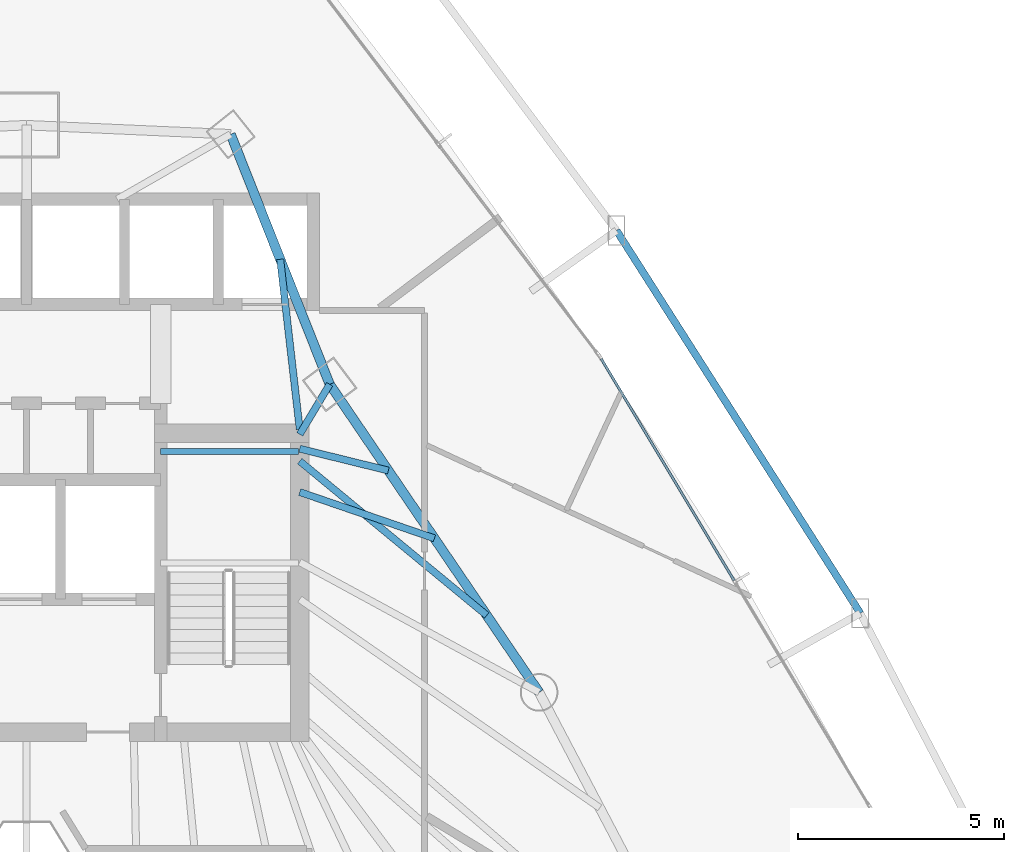
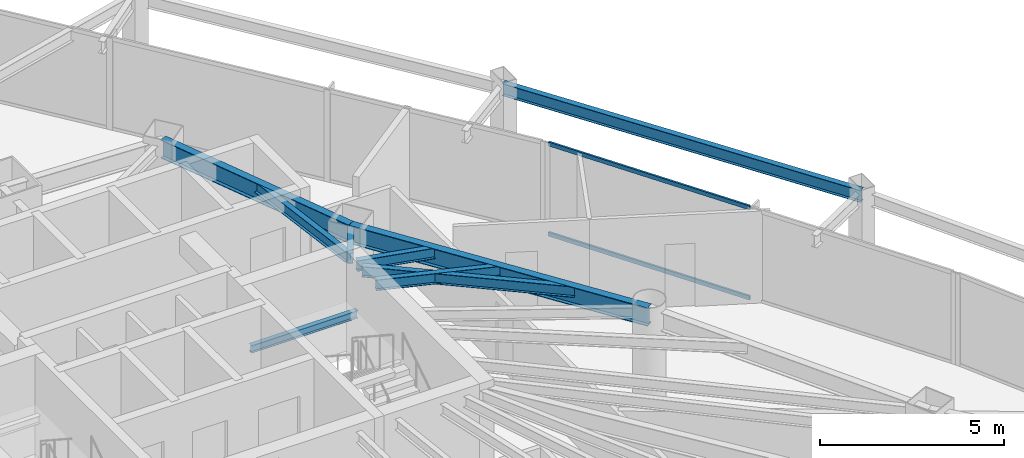
# One storey, part 28 of 38: 9 beams, 2 members, 1 element without a shape of its own.
"""IFC4 building model written with IfcOpenShell, lengths in metres."""

import ifcopenshell
import ifcopenshell.guid

model = None  # the IFC model being written
_history = None  # IfcOwnerHistory: only IFC2X3 demands one
_inside = {}  # id of a spatial element -> (the spatial element, [elements in it])
_under = {}  # id of a project, library or spatial element -> (it, [spatial elements below it])
_declared = {}  # id of a project -> (the project, [libraries it declares])
_typed = {}  # id of a type object -> (the type object, [elements of that type])
_made_of = {}  # id of a material, layer set ... -> (it, [elements and type objects made of it])


def new_model(schema):
    """Start an empty IFC model of exactly this schema.

    Asked for "IFC4X3", IfcOpenShell would pick the latest addendum, in which some entities
    have other attributes; the version numbers below select the first issue.
    IFC2X3 requires an IfcOwnerHistory on every rooted entity: one is made here for all.
    """
    global model, _history
    if schema == "IFC4X3":
        model = ifcopenshell.file(schema_version=(4, 3, 0, 0))
    else:
        model = ifcopenshell.file(schema=schema)
    _inside.clear()
    _under.clear()
    _declared.clear()
    _typed.clear()
    _made_of.clear()
    _history = None
    if model.schema == "IFC2X3":
        org = make("IfcOrganization", Name="unknown")
        user = make(
            "IfcPersonAndOrganization",
            ThePerson=make("IfcPerson", FamilyName="unknown"),
            TheOrganization=org,
        )
        app = make(
            "IfcApplication",
            ApplicationDeveloper=org,
            Version="unknown",
            ApplicationFullName="unknown",
            ApplicationIdentifier="unknown",
        )
        _history = make(
            "IfcOwnerHistory",
            OwningUser=user,
            OwningApplication=app,
            ChangeAction="ADDED",
            CreationDate=0,
        )
    return model


def make(cls, **values):
    """One entity of the class cls with the attributes given. An attribute that is None is left unset."""
    return model.create_entity(
        cls, **{name: value for name, value in values.items() if value is not None}
    )


def rooted(cls, **values):
    """An entity with a GlobalId (a new one), such as an element, a storey or a relation."""
    return make(cls, GlobalId=ifcopenshell.guid.new(), OwnerHistory=_history, **values)


def si_unit(unit_type, name, prefix=None):
    """IfcSIUnit, for example si_unit("LENGTHUNIT", "METRE", prefix="MILLI")."""
    return make("IfcSIUnit", UnitType=unit_type, Prefix=prefix, Name=name)


def assignment(units):
    """IfcUnitAssignment: the units of a project."""
    return None if units is None else make("IfcUnitAssignment", Units=units)


def point(xyz):
    """IfcCartesianPoint."""
    return None if xyz is None else make("IfcCartesianPoint", Coordinates=xyz)


def direction(xyz):
    """IfcDirection."""
    return None if xyz is None else make("IfcDirection", DirectionRatios=xyz)


def frame(location, z_axis=None, x_axis=None):
    """IfcAxis2Placement3D, a coordinate frame: its origin and axes. An axis left out is left unset."""
    return make(
        "IfcAxis2Placement3D",
        Location=point(location),
        Axis=direction(z_axis),
        RefDirection=direction(x_axis),
    )


def frame_2d(location, x_axis=None):
    """IfcAxis2Placement2D, a coordinate frame in the plane: its origin and x axis."""
    return make(
        "IfcAxis2Placement2D", Location=point(location), RefDirection=direction(x_axis)
    )


def origin():
    """The frame at (0, 0, 0) with its axes left unset."""
    return frame((0.0, 0.0, 0.0))


def origin_2d():
    """The frame at (0, 0) in the plane with its x axis left unset."""
    return frame_2d((0.0, 0.0))


def place(relative_to, where):
    """IfcLocalPlacement: puts the frame where relative to a parent placement (None: the world)."""
    return make(
        "IfcLocalPlacement", PlacementRelTo=relative_to, RelativePlacement=where
    )


def context(
    kind, dimensions, precision=None, world=None, true_north=None, identifier=None
):
    """IfcGeometricRepresentationContext, for example the 3D "Model" context."""
    return make(
        "IfcGeometricRepresentationContext",
        ContextIdentifier=identifier,
        ContextType=kind,
        CoordinateSpaceDimension=dimensions,
        Precision=precision,
        WorldCoordinateSystem=world,
        TrueNorth=true_north,
    )


def subcontext(parent, identifier, kind, view, scale=None):
    """IfcGeometricRepresentationSubContext, for example "Body" below "Model"."""
    return make(
        "IfcGeometricRepresentationSubContext",
        ContextIdentifier=identifier,
        ContextType=kind,
        ParentContext=parent,
        TargetScale=scale,
        TargetView=view,
    )


def project(units=None, contexts=None):
    """IfcProject with its units and contexts."""
    return rooted(
        "IfcProject",
        Name="project",
        RepresentationContexts=contexts,
        UnitsInContext=assignment(units),
    )


def spatial(cls, under=None, at=None, **own):
    """A site, building, storey or space (cls), placed at a placement, below another one or the project."""
    s = rooted(cls, ObjectPlacement=at, **own)
    if under is not None:
        _under.setdefault(under.id(), (under, []))[1].append(s)
    return s


def profile(cls, at=None, kind="AREA", **sizes):
    """A parametric profile (cls). Its sizes go by their IFC names, for example OverallWidth=200.0."""
    return make(cls, ProfileType=kind, Position=at, **sizes)


def hollow_rectangle(**sizes):
    """IfcRectangleHollowProfileDef."""
    return profile("IfcRectangleHollowProfileDef", **sizes)


def i_section(**sizes):
    """IfcIShapeProfileDef."""
    return profile("IfcIShapeProfileDef", **sizes)


def extrude(swept, where, along, depth):
    """IfcExtrudedAreaSolid: the profile swept, set in the frame where, extruded along a direction by depth."""
    return make(
        "IfcExtrudedAreaSolid",
        SweptArea=swept,
        Position=where,
        ExtrudedDirection=direction(along),
        Depth=depth,
    )


def shape(context_of_items, identifier, shape_type, items):
    """IfcShapeRepresentation: the items that make up one representation, for example the "Body"."""
    return make(
        "IfcShapeRepresentation",
        ContextOfItems=context_of_items,
        RepresentationIdentifier=identifier,
        RepresentationType=shape_type,
        Items=items,
    )


def material(Name=None, Category=None):
    """IfcMaterial."""
    return make("IfcMaterial", Name=Name, Category=Category)


def layer(
    of_material, thickness, ventilated=None, Name=None, Category=None, Priority=None
):
    """IfcMaterialLayer: one layer of a wall or slab, of a material (None: an air gap)."""
    return make(
        "IfcMaterialLayer",
        Material=of_material,
        LayerThickness=thickness,
        IsVentilated=ventilated,
        Name=Name,
        Category=Category,
        Priority=Priority,
    )


def layer_set(layers, Name=None):
    """IfcMaterialLayerSet."""
    return make("IfcMaterialLayerSet", MaterialLayers=layers, LayerSetName=Name)


def material_profile(
    of_material, cross_section, Name=None, Category=None, Priority=None
):
    """IfcMaterialProfile: a cross section and its material."""
    return make(
        "IfcMaterialProfile",
        Name=Name,
        Material=of_material,
        Profile=cross_section,
        Priority=Priority,
        Category=Category,
    )


def profile_set(profiles, Name=None, composite=None):
    """IfcMaterialProfileSet."""
    return make(
        "IfcMaterialProfileSet",
        Name=Name,
        MaterialProfiles=profiles,
        CompositeProfile=composite,
    )


def made_of(thing, what):
    """Note that an element or type object is made of a material, layer set ...; save() writes the relation."""
    if what is not None:
        _made_of.setdefault(what.id(), (what, []))[1].append(thing)
    return thing


def type_object(cls, material=None, **own):
    """A type object (cls), such as IfcWallType, which elements share."""
    return made_of(rooted(cls, **own), material)


def element(
    cls,
    number,
    at=None,
    inside=None,
    cuts=None,
    type_object=None,
    material=None,
    context=None,
    identifier="Body",
    shape_type=None,
    held_by="IfcProductDefinitionShape",
    body=None,
    shapes=None,
    **own,
):
    """One element of the class cls, such as IfcWall. Its Tag is "e" and its number.

    at: its placement. inside: the storey or other place that contains it. cuts: it is an
    opening in that element (IfcRelVoidsElement). A single representation is given by context,
    identifier, shape_type and body (its items); several are given by shapes. held_by: the class
    of the entity that holds the representations. save() writes the other relations.
    """
    e = rooted(cls, Tag="e%d" % number, ObjectPlacement=at, **own)
    if body is not None:
        shapes = [shape(context, identifier, shape_type, body)]
    if shapes is not None:
        e.Representation = make(held_by, Representations=shapes)
    if inside is not None:
        _inside.setdefault(inside.id(), (inside, []))[1].append(e)
    if cuts is not None:
        rooted(
            "IfcRelVoidsElement", RelatingBuildingElement=cuts, RelatedOpeningElement=e
        )
    if type_object is not None:
        _typed.setdefault(type_object.id(), (type_object, []))[1].append(e)
    return made_of(e, material)


def aggregate(whole, parts):
    """IfcRelAggregates: a whole, such as a stair, and the parts it consists of."""
    return rooted("IfcRelAggregates", RelatingObject=whole, RelatedObjects=parts)


def save(model, path):
    """Write the relations noted so far, then the file.

    IfcRelAggregates (storeys below a building ...), IfcRelContainedInSpatialStructure (elements
    in a storey), IfcRelDefinesByType, IfcRelAssociatesMaterial and IfcRelDeclares: one each for
    every whole, place, type object, material and project.
    """
    for whole, parts in _under.values():
        aggregate(whole, parts)
    for where, things in _inside.values():
        rooted(
            "IfcRelContainedInSpatialStructure",
            RelatedElements=things,
            RelatingStructure=where,
        )
    for kind, things in _typed.values():
        rooted("IfcRelDefinesByType", RelatedObjects=things, RelatingType=kind)
    for what, things in _made_of.values():
        rooted("IfcRelAssociatesMaterial", RelatedObjects=things, RelatingMaterial=what)
    for by, libraries in _declared.values():
        rooted("IfcRelDeclares", RelatingContext=by, RelatedDefinitions=libraries)
    model.write(path)


model = new_model("IFC4")

# Units and contexts
model_context = context("Model", 3, precision=1e-05, world=origin(), true_north=direction((0.0, 1.0)))
body_context = subcontext(model_context, "Body", "Model", "MODEL_VIEW")
ifc_project = project(units=[si_unit("LENGTHUNIT", "METRE"), si_unit("AREAUNIT", "SQUARE_METRE"), si_unit("VOLUMEUNIT", "CUBIC_METRE"), si_unit("PLANEANGLEUNIT", "RADIAN"), si_unit("MASSUNIT", "GRAM", prefix="KILO")], contexts=[model_context])

# Site, building, storey
site_placement = place(None, origin())
site = spatial("IfcSite", under=ifc_project, at=site_placement, CompositionType="ELEMENT")
building_placement = place(site_placement, origin())
building = spatial("IfcBuilding", under=site, at=building_placement, Name="Orvanel Arch Residences", CompositionType="ELEMENT")
storey_placement = place(building_placement, frame((0.0, 0.0, 46.699951171875)))
storey = spatial("IfcBuildingStorey", under=building, at=storey_placement, Name="L12", CompositionType="ELEMENT", Elevation=46.699951171875)

# Beams
ifc_material_1 = material(Name="Structural steel AS/NZS 3679.1 Grade 300 (300 MPa)", Category="steel")
ifc_material_profile_1 = material_profile(ifc_material_1, i_section(OverallWidth=0.14599609375, OverallDepth=0.251953125, WebThickness=0.006103515625, FlangeThickness=0.008544921875, at=origin_2d()), Name="250UB31.4")
ifc_profile_set_1 = profile_set([ifc_material_profile_1], Name="Structural steel AS/NZS 3679.1 Grade 300 (300 MPa)")
beam_type_1 = type_object("IfcBeamType", Name="BJ-250UB", PredefinedType="JOIST", material=ifc_profile_set_1)
beam_1_placement = place(storey_placement, frame((36.25, 33.47998046875, 1.323974609375), z_axis=(1.0, 0.0, 0.0), x_axis=(0.0, 1.0, 0.0)))
element("IfcBeam", 1, at=beam_1_placement, inside=storey, type_object=beam_type_1, Name="L12 ST-2 Half-Landing Support Beam 1.2", PredefinedType="JOIST", context=body_context, shape_type="SweptSolid", body=[
    extrude(i_section(OverallWidth=0.14599609375, OverallDepth=0.251953125, WebThickness=0.006103515625, FlangeThickness=0.008544921875, at=origin_2d()), origin(), (0.0, 0.0, 1.0), 3.35009765625),
])
ifc_material_profile_2 = material_profile(ifc_material_1, i_section(OverallWidth=0.1708984375, OverallDepth=0.35595703125, WebThickness=0.00732421875, FlangeThickness=0.011474609375, at=origin_2d()), Name="360UB50.7")
ifc_profile_set_2 = profile_set([ifc_material_profile_2], Name="Structural steel AS/NZS 3679.1 Grade 300 (300 MPa)")
beam_type_2 = type_object("IfcBeamType", Name="BJ-360UB", PredefinedType="JOIST", material=ifc_profile_set_2)
beam_2_placement = place(storey_placement, frame((39.625, 33.89990234375, 2.882080078125), z_axis=(0.514064138778, 0.857751748015, 0.0), x_axis=(-0.857751748015, 0.514064138778, 0.0)))
element("IfcBeam", 2, at=beam_2_placement, inside=storey, type_object=beam_type_2, Name="L12 NNE Wing Floor Joist", PredefinedType="JOIST", context=body_context, shape_type="SweptSolid", body=[
    extrude(i_section(OverallWidth=0.1708984375, OverallDepth=0.35595703125, WebThickness=0.00732421875, FlangeThickness=0.011474609375, at=origin_2d()), origin(), (0.0, 0.0, 1.0), 1.414306640625),
])
beam_3_placement = place(storey_placement, frame((39.625, 34.02001953125, 2.882080078125), z_axis=(-0.114186670431, 0.993459311847, 0.0), x_axis=(-0.993459311847, -0.114186670431, 0.0)))
element("IfcBeam", 3, at=beam_3_placement, inside=storey, type_object=beam_type_2, Name="L12 NNE2 Wing Floor Joist", PredefinedType="JOIST", context=body_context, shape_type="SweptSolid", body=[
    extrude(i_section(OverallWidth=0.1708984375, OverallDepth=0.35595703125, WebThickness=0.00732421875, FlangeThickness=0.011474609375, at=origin_2d()), origin(), (0.0, 0.0, 1.0), 4.152099609375),
])
beam_4_placement = place(storey_placement, frame((39.625, 32.5, 2.882080078125), z_axis=(0.945658073701, -0.325162740247, 0.0), x_axis=(0.325162740247, 0.945658073701, 0.0)))
element("IfcBeam", 4, at=beam_4_placement, inside=storey, type_object=beam_type_2, Name="L12 ENE Wing Floor Joist", PredefinedType="JOIST", context=body_context, shape_type="SweptSolid", body=[
    extrude(i_section(OverallWidth=0.1708984375, OverallDepth=0.35595703125, WebThickness=0.00732421875, FlangeThickness=0.011474609375, at=origin_2d()), origin(), (0.0, 0.0, 1.0), 3.453857421875),
])
beam_5_placement = place(storey_placement, frame((39.625, 33.25, 2.882080078125), z_axis=(0.771468562814, -0.636267441089, 0.0), x_axis=(0.636267441089, 0.771468562814, 0.0)))
element("IfcBeam", 5, at=beam_5_placement, inside=storey, type_object=beam_type_2, Name="L12 LE Wing Floor Joist", PredefinedType="JOIST", context=body_context, shape_type="SweptSolid", body=[
    extrude(i_section(OverallWidth=0.1708984375, OverallDepth=0.35595703125, WebThickness=0.00732421875, FlangeThickness=0.011474609375, at=origin_2d()), origin(), (0.0, 0.0, 1.0), 5.879638671875),
])
beam_6_placement = place(storey_placement, frame((39.625, 33.550048828125, 2.882080078125), z_axis=(0.971005818547, -0.239055851942, 0.0), x_axis=(0.239055851942, 0.971005818547, 0.0)))
element("IfcBeam", 6, at=beam_6_placement, inside=storey, type_object=beam_type_2, Name="L12 JADD4 Wing Floor Joist", PredefinedType="JOIST", context=body_context, shape_type="SweptSolid", body=[
    extrude(i_section(OverallWidth=0.1708984375, OverallDepth=0.35595703125, WebThickness=0.00732421875, FlangeThickness=0.011474609375, at=origin_2d()), origin(), (0.0, 0.0, 1.0), 2.213134765625),
])
ifc_material_profile_3 = material_profile(ifc_material_1, i_section(OverallWidth=0.177978515625, OverallDepth=0.406005859375, WebThickness=0.0078125, FlangeThickness=0.0126953125, at=origin_2d()), Name="410UB59.7")
ifc_profile_set_3 = profile_set([ifc_material_profile_3], Name="Structural steel AS/NZS 3679.1 Grade 300 (300 MPa)")
beam_type_3 = type_object("IfcBeamType", Name="OB-410UB-EXT", PredefinedType="SPANDREL", material=ifc_profile_set_3)
beam_7_placement = place(storey_placement, frame((53.221923828125, 29.55908203125, 2.85693359375), z_axis=(-0.537254316305, 0.843420298316, 0.0), x_axis=(-0.843420298316, -0.537254316305, 0.0)))
element("IfcBeam", 7, at=beam_7_placement, inside=storey, type_object=beam_type_3, Name="L12 Outer Perimeter Floor Ring Beam 10", PredefinedType="SPANDREL", context=body_context, shape_type="SweptSolid", body=[
    extrude(i_section(OverallWidth=0.177978515625, OverallDepth=0.406005859375, WebThickness=0.0078125, FlangeThickness=0.0126953125, at=origin_2d()), origin(), (0.0, 0.0, 1.0), 11.007568359375),
])
ifc_material_profile_4 = material_profile(ifc_material_1, i_section(OverallWidth=0.22900390625, OverallDepth=0.612060546875, WebThickness=0.011962890625, FlangeThickness=0.01953125, at=origin_2d()), Name="610UB125")
ifc_profile_set_4 = profile_set([ifc_material_profile_4], Name="Structural steel AS/NZS 3679.1 Grade 300 (300 MPa)")
beam_type_4 = type_object("IfcBeamType", Name="SP-610UB", PredefinedType="SPANDREL", material=ifc_profile_set_4)
beam_8_placement = place(storey_placement, frame((45.430908203125, 27.64111328125, 2.754150390625), z_axis=(-0.562154793153, 0.827032035978, 0.0), x_axis=(-0.827032035978, -0.562154793153, 0.0)))
element("IfcBeam", 8, at=beam_8_placement, inside=storey, type_object=beam_type_4, Name="L12 Perimeter Spandrel Beam 14", PredefinedType="SPANDREL", context=body_context, shape_type="SweptSolid", body=[
    extrude(i_section(OverallWidth=0.22900390625, OverallDepth=0.612060546875, WebThickness=0.011962890625, FlangeThickness=0.01953125, at=origin_2d()), origin(), (0.0, 0.0, 1.0), 9.03466796875),
])
beam_9_placement = place(storey_placement, frame((40.35205078125, 35.113037109375, 2.754150390625), z_axis=(-0.368233143579, 0.929733484376, 0.0), x_axis=(-0.929733484376, -0.368233143579, 0.0)))
element("IfcBeam", 9, at=beam_9_placement, inside=storey, type_object=beam_type_4, Name="L12 Perimeter Spandrel Beam 15", PredefinedType="SPANDREL", context=body_context, shape_type="SweptSolid", body=[
    extrude(i_section(OverallWidth=0.22900390625, OverallDepth=0.612060546875, WebThickness=0.011962890625, FlangeThickness=0.01953125, at=origin_2d()), origin(), (0.0, 0.0, 1.0), 6.523193359375),
])

# Curtain wall, members
ifc_material_2 = material(Name="Bronze-anodised aluminium AA6063-T6", Category="aluminium")
ifc_layer = layer(ifc_material_2, 0.179931640625)
ifc_layer_set = layer_set([ifc_layer], Name="Bronze-anodised aluminium AA6063-T6")
curtain_wall_type = type_object("IfcCurtainWallType", Name="CW2-LOW-SYS", PredefinedType="NOTDEFINED", material=ifc_layer_set)
curtain_wall_placement = place(storey_placement, origin())
curtain_wall = element("IfcCurtainWall", 10, at=curtain_wall_placement, inside=storey, type_object=curtain_wall_type, Name="L12 CW2-LOW-SYS Unitised Curtain Wall", PredefinedType="NOTDEFINED")
ifc_material_profile_5 = material_profile(ifc_material_2, hollow_rectangle(XDim=0.06005859375, YDim=0.135009765625, WallThickness=0.00390625, at=origin_2d()), Name="ALU135x60x4")
ifc_profile_set_5 = profile_set([ifc_material_profile_5], Name="Bronze-anodised aluminium AA6063-T6")
member_type = type_object("IfcMemberType", Name="TRN-135x60", PredefinedType="USERDEFINED", material=ifc_profile_set_5)
member_1_placement = place(storey_placement, frame((50.159912109375, 30.3564453125, 0.030029296875), z_axis=(-0.514352631458, 0.857578783851, 0.0), x_axis=(-0.857578783851, -0.514352631458, 0.0)))
member_1 = element("IfcMember", 11, at=member_1_placement, type_object=member_type, Name="CW-S2 transom 2.1", ObjectType="TRANSOM", PredefinedType="USERDEFINED", context=body_context, shape_type="SweptSolid", body=[
    extrude(hollow_rectangle(XDim=0.06005859375, YDim=0.135009765625, WallThickness=0.00390625, at=origin_2d()), origin(), (0.0, 0.0, 1.0), 6.271728515625),
])
member_2_placement = place(storey_placement, frame((50.159912109375, 30.3564453125, 3.030029296875), z_axis=(-0.514352631458, 0.857578783851, 0.0), x_axis=(-0.857578783851, -0.514352631458, 0.0)))
member_2 = element("IfcMember", 12, at=member_2_placement, type_object=member_type, Name="CW-S2 transom 2.2", ObjectType="TRANSOM", PredefinedType="USERDEFINED", context=body_context, shape_type="SweptSolid", body=[
    extrude(hollow_rectangle(XDim=0.06005859375, YDim=0.135009765625, WallThickness=0.00390625, at=origin_2d()), origin(), (0.0, 0.0, 1.0), 6.271728515625),
])
aggregate(curtain_wall, [member_1, member_2])

save(model, "model.ifc")
